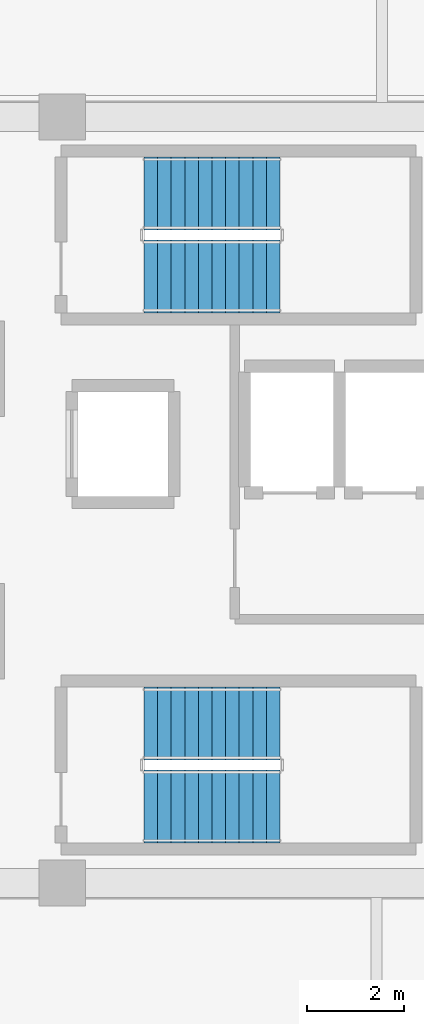
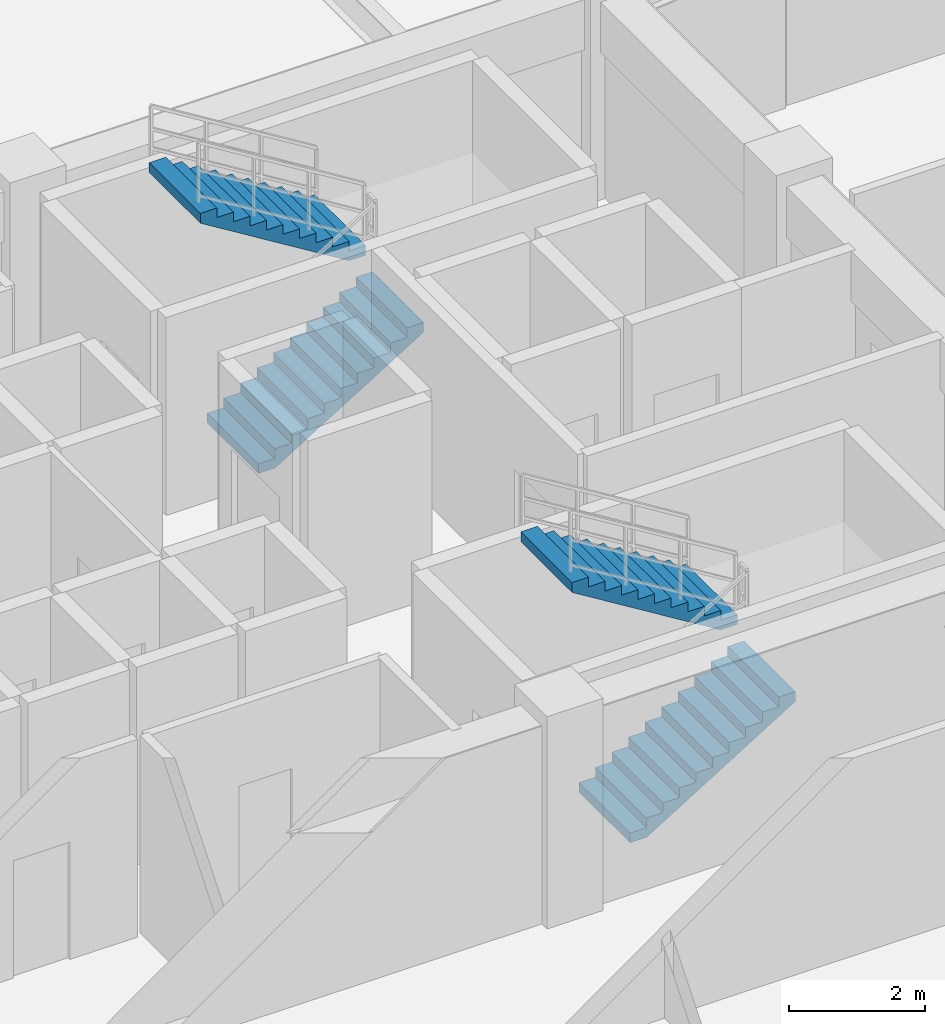
# One storey, part 6 of 9: 4 stair flights, 2 elements without a shape of their own.
"""IFC4 building model written with IfcOpenShell, lengths in metres."""

from ifc_helpers import new_model, si_unit, direction, frame, origin, place, context, subcontext, project, spatial, polyline, outline, extrude, material, type_object, element, aggregate, save


model = new_model("IFC4")

# Units and contexts
model_context = context("Model", 3, precision=1e-05, world=origin(), true_north=direction((0.0, 1.0)))
body_context = subcontext(model_context, "Body", "Model", "MODEL_VIEW")
ifc_project = project(units=[si_unit("LENGTHUNIT", "METRE"), si_unit("AREAUNIT", "SQUARE_METRE"), si_unit("VOLUMEUNIT", "CUBIC_METRE"), si_unit("PLANEANGLEUNIT", "RADIAN"), si_unit("MASSUNIT", "GRAM", prefix="KILO")], contexts=[model_context])

# Site, building, storey
site_placement = place(None, origin())
site = spatial("IfcSite", under=ifc_project, at=site_placement, CompositionType="ELEMENT")
building_placement = place(site_placement, origin())
building = spatial("IfcBuilding", under=site, at=building_placement, Name="Zulverin Broadcast Headquarters", CompositionType="ELEMENT")
storey_placement = place(building_placement, frame((0.0, 0.0, 189.60009765625)))
storey = spatial("IfcBuildingStorey", under=building, at=storey_placement, Name="L48", CompositionType="ELEMENT", Elevation=189.60009765625)

# Stair, stair flights
ifc_material = material(Name="Concrete C40/50", Category="concrete")
stair_type = type_object("IfcStairType", Name="ST-CORE-1500", PredefinedType="HALF_TURN_STAIR", material=ifc_material)
stair_1_placement = place(storey_placement, origin())
stair_1 = element("IfcStair", 1, at=stair_1_placement, inside=storey, type_object=stair_type, Name="L48 Core Exit Stair ST-1", PredefinedType="HALF_TURN_STAIR")
stair_flight_type = type_object("IfcStairFlightType", Name="SF-CORE-1500", PredefinedType="STRAIGHT", material=ifc_material)
stair_flight_1_placement = place(storey_placement, frame((40.1298828125, 29.800048828125, 0.0), z_axis=(0.0, 0.0, 1.0), x_axis=(1.0, 0.0, 0.0)))
stair_flight_1 = element("IfcStairFlight", 2, at=stair_flight_1_placement, type_object=stair_flight_type, Name="ST-1 flight 1", NumberOfRisers=11, NumberOfTreads=10, PredefinedType="STRAIGHT", RiserHeight=0.172727273, TreadLength=0.28, context=body_context, shape_type="SweptSolid", body=[
    extrude(outline(polyline([(0.0, 0.0), (0.0, 0.172607421875), (0.280029296875, 0.172607421875), (0.280029296875, 0.345458984375), (0.56005859375, 0.345458984375), (0.56005859375, 0.51806640625), (0.840087890625, 0.51806640625), (0.840087890625, 0.69091796875), (1.1201171875, 0.69091796875), (1.1201171875, 0.863525390625), (1.39990234375, 0.863525390625), (1.39990234375, 1.036376953125), (1.679931640625, 1.036376953125), (1.679931640625, 1.208984375), (1.9599609375, 1.208984375), (1.9599609375, 1.3818359375), (2.239990234375, 1.3818359375), (2.239990234375, 1.554443359375), (2.52001953125, 1.554443359375), (2.52001953125, 1.727294921875), (2.800048828125, 1.727294921875), (2.800048828125, 1.89990234375), (2.800048828125, 1.551025390625), (0.285400390625, 0.0), (0.0, 0.0)])), frame((0.0, 0.75, 0.0), z_axis=(0.0, -1.0, 0.0), x_axis=(1.0, 0.0, 0.0)), (0.0, 0.0, 1.0), 1.5),
])
stair_flight_2_placement = place(storey_placement, frame((42.929931640625, 31.5, 1.89990234375), z_axis=(0.0, 0.0, 1.0), x_axis=(-1.0, 0.0, 0.0)))
stair_flight_2 = element("IfcStairFlight", 3, at=stair_flight_2_placement, type_object=stair_flight_type, Name="ST-1 flight 2", NumberOfRisers=11, NumberOfTreads=10, PredefinedType="STRAIGHT", RiserHeight=0.172727273, TreadLength=0.28, context=body_context, shape_type="SweptSolid", body=[
    extrude(outline(polyline([(0.0, 0.0), (0.0, 0.172607421875), (0.280029296875, 0.172607421875), (0.280029296875, 0.345458984375), (0.56005859375, 0.345458984375), (0.56005859375, 0.51806640625), (0.840087890625, 0.51806640625), (0.840087890625, 0.69091796875), (1.1201171875, 0.69091796875), (1.1201171875, 0.863525390625), (1.39990234375, 0.863525390625), (1.39990234375, 1.036376953125), (1.679931640625, 1.036376953125), (1.679931640625, 1.208984375), (1.9599609375, 1.208984375), (1.9599609375, 1.3818359375), (2.239990234375, 1.3818359375), (2.239990234375, 1.554443359375), (2.52001953125, 1.554443359375), (2.52001953125, 1.727294921875), (2.800048828125, 1.727294921875), (2.800048828125, 1.89990234375), (2.800048828125, 1.551025390625), (0.285400390625, 0.0), (0.0, 0.0)])), frame((0.0, 0.75, 0.0), z_axis=(0.0, -1.0, 0.0), x_axis=(1.0, 0.0, 0.0)), (0.0, 0.0, 1.0), 1.5),
])
aggregate(stair_1, [stair_flight_1, stair_flight_2])

stair_2_placement = place(storey_placement, origin())
stair_2 = element("IfcStair", 4, at=stair_2_placement, inside=storey, type_object=stair_type, Name="L48 Core Exit Stair ST-2", PredefinedType="HALF_TURN_STAIR")
stair_flight_3_placement = place(storey_placement, frame((40.1298828125, 18.89990234375, 0.0), z_axis=(0.0, 0.0, 1.0), x_axis=(1.0, 0.0, 0.0)))
stair_flight_3 = element("IfcStairFlight", 5, at=stair_flight_3_placement, type_object=stair_flight_type, Name="ST-2 flight 1", NumberOfRisers=11, NumberOfTreads=10, PredefinedType="STRAIGHT", RiserHeight=0.172727273, TreadLength=0.28, context=body_context, shape_type="SweptSolid", body=[
    extrude(outline(polyline([(0.0, 0.0), (0.0, 0.172607421875), (0.280029296875, 0.172607421875), (0.280029296875, 0.345458984375), (0.56005859375, 0.345458984375), (0.56005859375, 0.51806640625), (0.840087890625, 0.51806640625), (0.840087890625, 0.69091796875), (1.1201171875, 0.69091796875), (1.1201171875, 0.863525390625), (1.39990234375, 0.863525390625), (1.39990234375, 1.036376953125), (1.679931640625, 1.036376953125), (1.679931640625, 1.208984375), (1.9599609375, 1.208984375), (1.9599609375, 1.3818359375), (2.239990234375, 1.3818359375), (2.239990234375, 1.554443359375), (2.52001953125, 1.554443359375), (2.52001953125, 1.727294921875), (2.800048828125, 1.727294921875), (2.800048828125, 1.89990234375), (2.800048828125, 1.551025390625), (0.285400390625, 0.0), (0.0, 0.0)])), frame((0.0, 0.75, 0.0), z_axis=(0.0, -1.0, 0.0), x_axis=(1.0, 0.0, 0.0)), (0.0, 0.0, 1.0), 1.5),
])
stair_flight_4_placement = place(storey_placement, frame((42.929931640625, 20.60009765625, 1.89990234375), z_axis=(0.0, 0.0, 1.0), x_axis=(-1.0, 0.0, 0.0)))
stair_flight_4 = element("IfcStairFlight", 6, at=stair_flight_4_placement, type_object=stair_flight_type, Name="ST-2 flight 2", NumberOfRisers=11, NumberOfTreads=10, PredefinedType="STRAIGHT", RiserHeight=0.172727273, TreadLength=0.28, context=body_context, shape_type="SweptSolid", body=[
    extrude(outline(polyline([(0.0, 0.0), (0.0, 0.172607421875), (0.280029296875, 0.172607421875), (0.280029296875, 0.345458984375), (0.56005859375, 0.345458984375), (0.56005859375, 0.51806640625), (0.840087890625, 0.51806640625), (0.840087890625, 0.69091796875), (1.1201171875, 0.69091796875), (1.1201171875, 0.863525390625), (1.39990234375, 0.863525390625), (1.39990234375, 1.036376953125), (1.679931640625, 1.036376953125), (1.679931640625, 1.208984375), (1.9599609375, 1.208984375), (1.9599609375, 1.3818359375), (2.239990234375, 1.3818359375), (2.239990234375, 1.554443359375), (2.52001953125, 1.554443359375), (2.52001953125, 1.727294921875), (2.800048828125, 1.727294921875), (2.800048828125, 1.89990234375), (2.800048828125, 1.551025390625), (0.285400390625, 0.0), (0.0, 0.0)])), frame((0.0, 0.75, 0.0), z_axis=(0.0, -1.0, 0.0), x_axis=(1.0, 0.0, 0.0)), (0.0, 0.0, 1.0), 1.5),
])
aggregate(stair_2, [stair_flight_3, stair_flight_4])

save(model, "model.ifc")
